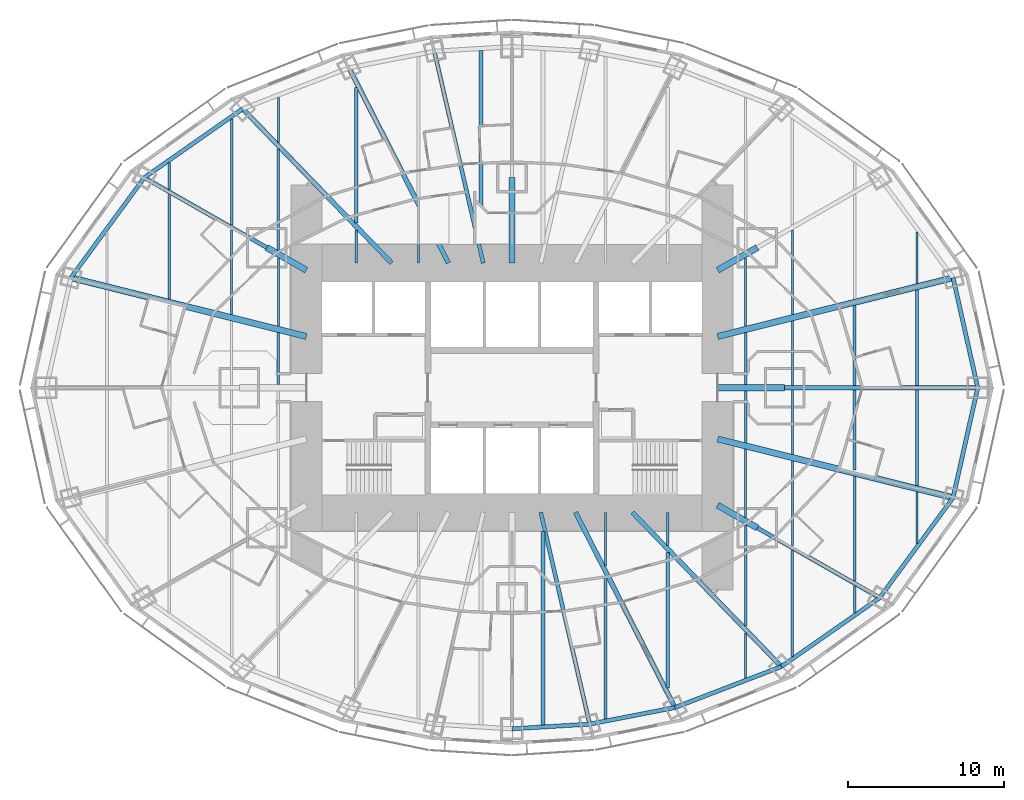
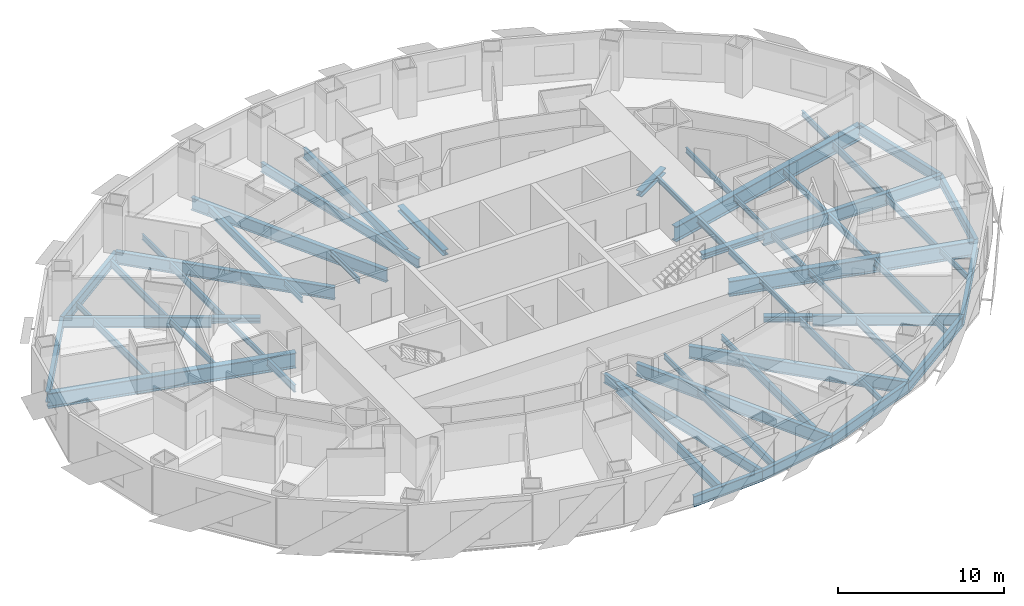
# One storey, part 2 of 15: 62 beams.
"""IFC4 building model written with IfcOpenShell, lengths in metres."""

from ifc_helpers import new_model, si_unit, direction, frame, origin, origin_2d, place, context, subcontext, project, spatial, i_section, extrude, material, material_profile, profile_set, type_object, element, save


model = new_model("IFC4")

# Units and contexts
model_context = context("Model", 3, precision=1e-05, world=origin(), true_north=direction((0.0, 1.0)))
body_context = subcontext(model_context, "Body", "Model", "MODEL_VIEW")
ifc_project = project(units=[si_unit("LENGTHUNIT", "METRE"), si_unit("AREAUNIT", "SQUARE_METRE"), si_unit("VOLUMEUNIT", "CUBIC_METRE"), si_unit("PLANEANGLEUNIT", "RADIAN"), si_unit("MASSUNIT", "GRAM", prefix="KILO")], contexts=[model_context])

# Site, building, storey
site_placement = place(None, origin())
site = spatial("IfcSite", under=ifc_project, at=site_placement, CompositionType="ELEMENT")
building_placement = place(site_placement, origin())
building = spatial("IfcBuilding", under=site, at=building_placement, Name="Lantaw Convention Tower", CompositionType="ELEMENT")
storey_placement = place(building_placement, frame((0.0, 0.0, 44.199951171875)))
storey = spatial("IfcBuildingStorey", under=building, at=storey_placement, Name="L08", CompositionType="ELEMENT", Elevation=44.199951171875)

# Beams
ifc_material = material(Name="Steel ASTM A992", Category="steel")
ifc_material_profile_1 = material_profile(ifc_material, i_section(OverallWidth=0.2666015625, OverallDepth=0.76953125, WebThickness=0.015625, FlangeThickness=0.025390625, FilletRadius=0.0126953125, at=origin_2d()), Name="W30X132")
ifc_profile_set_1 = profile_set([ifc_material_profile_1], Name="Steel ASTM A992")
beam_type_1 = type_object("IfcBeamType", Name="Beam E W30X132", PredefinedType="SPANDREL", material=ifc_profile_set_1)
beam_1_placement = place(storey_placement, frame((29.89990234375, 0.0, -0.53466796875), z_axis=(-0.218652184873, 0.975802860239, 0.0), x_axis=(-0.975802860239, -0.218652184873, 0.0)))
element("IfcBeam", 1, at=beam_1_placement, inside=storey, type_object=beam_type_1, Name="Edge beam 1", PredefinedType="SPANDREL", context=body_context, shape_type="SweptSolid", body=[
    extrude(i_section(OverallWidth=0.2666015625, OverallDepth=0.76953125, WebThickness=0.015625, FlangeThickness=0.025390625, FilletRadius=0.0126953125, at=origin_2d()), origin(), (0.0, 0.0, 1.0), 7.2353515625),
])
beam_2_placement = place(storey_placement, frame((-17.290771484375, 17.9052734375, -0.53466796875), z_axis=(-0.81942686407, -0.57318375277, 0.0), x_axis=(0.57318375277, -0.81942686407, 0.0)))
element("IfcBeam", 2, at=beam_2_placement, inside=storey, type_object=beam_type_1, Name="Edge beam 10", PredefinedType="SPANDREL", context=body_context, shape_type="SweptSolid", body=[
    extrude(i_section(OverallWidth=0.2666015625, OverallDepth=0.76953125, WebThickness=0.015625, FlangeThickness=0.025390625, FilletRadius=0.0126953125, at=origin_2d()), origin(), (0.0, 0.0, 1.0), 7.70556640625),
])
beam_3_placement = place(storey_placement, frame((-23.60498046875, 13.488525390625, -0.53466796875), z_axis=(-0.591270709086, -0.806473154281, 0.0), x_axis=(0.806473154281, -0.591270709086, 0.0)))
element("IfcBeam", 3, at=beam_3_placement, inside=storey, type_object=beam_type_1, Name="Edge beam 11", PredefinedType="SPANDREL", context=body_context, shape_type="SweptSolid", body=[
    extrude(i_section(OverallWidth=0.2666015625, OverallDepth=0.76953125, WebThickness=0.015625, FlangeThickness=0.025390625, FilletRadius=0.0126953125, at=origin_2d()), origin(), (0.0, 0.0, 1.0), 7.970703125),
])
beam_4_placement = place(storey_placement, frame((0.0, -21.89990234375, -0.53466796875), z_axis=(0.998173858406, 0.060406526096, 0.0), x_axis=(-0.060406526096, 0.998173858406, 0.0)))
element("IfcBeam", 4, at=beam_4_placement, inside=storey, type_object=beam_type_1, Name="Edge beam 19", PredefinedType="SPANDREL", context=body_context, shape_type="SweptSolid", body=[
    extrude(i_section(OverallWidth=0.2666015625, OverallDepth=0.76953125, WebThickness=0.015625, FlangeThickness=0.025390625, FilletRadius=0.0126953125, at=origin_2d()), origin(), (0.0, 0.0, 1.0), 4.995361328125),
])
beam_5_placement = place(storey_placement, frame((4.986328125, -21.59814453125, -0.53466796875), z_axis=(0.981636565323, 0.190760723474, 0.0), x_axis=(-0.190760723474, 0.981636565323, 0.0)))
element("IfcBeam", 5, at=beam_5_placement, inside=storey, type_object=beam_type_1, Name="Edge beam 20", PredefinedType="SPANDREL", context=body_context, shape_type="SweptSolid", body=[
    extrude(i_section(OverallWidth=0.2666015625, OverallDepth=0.76953125, WebThickness=0.015625, FlangeThickness=0.025390625, FilletRadius=0.0126953125, at=origin_2d()), origin(), (0.0, 0.0, 1.0), 5.578857421875),
])
beam_6_placement = place(storey_placement, frame((10.462646484375, -20.533935546875, -0.53466796875), z_axis=(0.933232900641, 0.359271976588, 0.0), x_axis=(-0.359271976588, 0.933232900641, 0.0)))
element("IfcBeam", 6, at=beam_6_placement, inside=storey, type_object=beam_type_1, Name="Edge beam 21", PredefinedType="SPANDREL", context=body_context, shape_type="SweptSolid", body=[
    extrude(i_section(OverallWidth=0.2666015625, OverallDepth=0.76953125, WebThickness=0.015625, FlangeThickness=0.025390625, FilletRadius=0.0126953125, at=origin_2d()), origin(), (0.0, 0.0, 1.0), 7.316650390625),
])
beam_7_placement = place(storey_placement, frame((17.290771484375, -17.9052734375, -0.53466796875), z_axis=(0.81942686407, 0.57318375277, 0.0), x_axis=(-0.57318375277, 0.81942686407, 0.0)))
element("IfcBeam", 7, at=beam_7_placement, inside=storey, type_object=beam_type_1, Name="Edge beam 22", PredefinedType="SPANDREL", context=body_context, shape_type="SweptSolid", body=[
    extrude(i_section(OverallWidth=0.2666015625, OverallDepth=0.76953125, WebThickness=0.015625, FlangeThickness=0.025390625, FilletRadius=0.0126953125, at=origin_2d()), origin(), (0.0, 0.0, 1.0), 7.70556640625),
])
beam_8_placement = place(storey_placement, frame((23.60498046875, -13.488525390625, -0.53466796875), z_axis=(0.591270709086, 0.806473154281, 0.0), x_axis=(-0.806473154281, 0.591270709086, 0.0)))
element("IfcBeam", 8, at=beam_8_placement, inside=storey, type_object=beam_type_1, Name="Edge beam 23", PredefinedType="SPANDREL", context=body_context, shape_type="SweptSolid", body=[
    extrude(i_section(OverallWidth=0.2666015625, OverallDepth=0.76953125, WebThickness=0.015625, FlangeThickness=0.025390625, FilletRadius=0.0126953125, at=origin_2d()), origin(), (0.0, 0.0, 1.0), 7.970703125),
])
beam_9_placement = place(storey_placement, frame((28.31787109375, -7.060302734375, -0.53466796875), z_axis=(0.218652184873, 0.975802860239, 0.0), x_axis=(-0.975802860239, 0.218652184873, 0.0)))
element("IfcBeam", 9, at=beam_9_placement, inside=storey, type_object=beam_type_1, Name="Edge beam 24", PredefinedType="SPANDREL", context=body_context, shape_type="SweptSolid", body=[
    extrude(i_section(OverallWidth=0.2666015625, OverallDepth=0.76953125, WebThickness=0.015625, FlangeThickness=0.025390625, FilletRadius=0.0126953125, at=origin_2d()), origin(), (0.0, 0.0, 1.0), 7.2353515625),
])
ifc_material_profile_2 = material_profile(ifc_material, i_section(OverallWidth=0.25390625, OverallDepth=0.683349609375, WebThickness=0.012451171875, FlangeThickness=0.01904296875, FilletRadius=0.01513671875, at=origin_2d()), Name="W27X94")
ifc_profile_set_2 = profile_set([ifc_material_profile_2], Name="Steel ASTM A992")
beam_type_2 = type_object("IfcBeamType", Name="Beam G W27X94", PredefinedType="BEAM", material=ifc_profile_set_2)
for number, where, z_axis, x_axis, name in (
    (10, (-1.846923828125, 8.0, -0.49169921875), (-0.224952773175, 0.97436966796, 0.0), (-0.97436966796, -0.224952773175, 0.0), "Floor girder on ray 8"),
    (11, (1.846923828125, -8.0, -0.49169921875), (0.224952773175, -0.97436966796, 0.0), (0.97436966796, 0.224952773175, 0.0), "Floor girder on ray 20"),
):
    element("IfcBeam", number, at=place(storey_placement, frame(where, z_axis=z_axis, x_axis=x_axis)), inside=storey, type_object=beam_type_2, Name=name, PredefinedType="BEAM", context=body_context, shape_type="SweptSolid", body=[
        extrude(i_section(OverallWidth=0.25390625, OverallDepth=0.683349609375, WebThickness=0.012451171875, FlangeThickness=0.01904296875, FilletRadius=0.01513671875, at=origin_2d()), origin(), (0.0, 0.0, 1.0), 13.955810546875),
    ])
ifc_material_profile_3 = material_profile(ifc_material, i_section(OverallWidth=0.2666015625, OverallDepth=0.7568359375, WebThickness=0.013916015625, FlangeThickness=0.019287109375, FilletRadius=0.0126953125, at=origin_2d()), Name="W30X108")
ifc_profile_set_3 = profile_set([ifc_material_profile_3], Name="Steel ASTM A992")
beam_type_3 = type_object("IfcBeamType", Name="Beam G W30X108", PredefinedType="BEAM", material=ifc_profile_set_3)
for number, where, z_axis, x_axis, name in (
    (12, (-15.75, 9.0, -0.5283203125), (-0.868244802791, 0.496136032179, 0.0), (-0.496136032179, -0.868244802791, 0.0), "Floor girder on ray 11"),
    (13, (15.75, -9.0, -0.5283203125), (0.868244802791, -0.496136032179, 0.0), (0.496136032179, 0.868244802791, 0.0), "Floor girder on ray 23"),
):
    element("IfcBeam", number, at=place(storey_placement, frame(where, z_axis=z_axis, x_axis=x_axis)), inside=storey, type_object=beam_type_3, Name=name, PredefinedType="BEAM", context=body_context, shape_type="SweptSolid", body=[
        extrude(i_section(OverallWidth=0.2666015625, OverallDepth=0.7568359375, WebThickness=0.013916015625, FlangeThickness=0.019287109375, FilletRadius=0.0126953125, at=origin_2d()), origin(), (0.0, 0.0, 1.0), 9.046875),
    ])
ifc_material_profile_4 = material_profile(ifc_material, i_section(OverallWidth=0.307373046875, OverallDepth=0.922119140625, WebThickness=0.018310546875, FlangeThickness=0.030029296875, FilletRadius=0.0126953125, at=origin_2d()), Name="W36X182")
ifc_profile_set_4 = profile_set([ifc_material_profile_4], Name="Steel ASTM A992")
beam_type_4 = type_object("IfcBeamType", Name="Beam G W36X182", PredefinedType="BEAM", material=ifc_profile_set_4)
beam_10_placement = place(storey_placement, frame((17.5, 0.0, -0.61083984375), z_axis=(1.0, 0.0, 0.0), x_axis=(0.0, 1.0, 0.0)))
element("IfcBeam", 14, at=beam_10_placement, inside=storey, type_object=beam_type_4, Name="Floor girder on ray 1", PredefinedType="BEAM", context=body_context, shape_type="SweptSolid", body=[
    extrude(i_section(OverallWidth=0.307373046875, OverallDepth=0.922119140625, WebThickness=0.018310546875, FlangeThickness=0.030029296875, FilletRadius=0.0126953125, at=origin_2d()), origin(), (0.0, 0.0, 1.0), 12.39990234375),
])
beam_11_placement = place(storey_placement, frame((-4.076171875, 8.0, -0.61083984375), z_axis=(-0.453997016122, 0.891003203896, 0.0), x_axis=(-0.891003203896, -0.453997016122, 0.0)))
element("IfcBeam", 15, at=beam_11_placement, inside=storey, type_object=beam_type_4, Name="Floor girder on ray 9", PredefinedType="BEAM", context=body_context, shape_type="SweptSolid", body=[
    extrude(i_section(OverallWidth=0.307373046875, OverallDepth=0.922119140625, WebThickness=0.018310546875, FlangeThickness=0.030029296875, FilletRadius=0.0126953125, at=origin_2d()), origin(), (0.0, 0.0, 1.0), 14.067138671875),
])
beam_12_placement = place(storey_placement, frame((-7.7255859375, 8.0, -0.61083984375), z_axis=(-0.694649884291, 0.719347995239, 0.0), x_axis=(-0.719347995239, -0.694649884291, 0.0)))
element("IfcBeam", 16, at=beam_12_placement, inside=storey, type_object=beam_type_4, Name="Floor girder on ray 10", PredefinedType="BEAM", context=body_context, shape_type="SweptSolid", body=[
    extrude(i_section(OverallWidth=0.307373046875, OverallDepth=0.922119140625, WebThickness=0.018310546875, FlangeThickness=0.030029296875, FilletRadius=0.0126953125, at=origin_2d()), origin(), (0.0, 0.0, 1.0), 13.769775390625),
])
beam_13_placement = place(storey_placement, frame((4.076171875, -8.0, -0.61083984375), z_axis=(0.453997016122, -0.891003203896, 0.0), x_axis=(0.891003203896, 0.453997016122, 0.0)))
element("IfcBeam", 17, at=beam_13_placement, inside=storey, type_object=beam_type_4, Name="Floor girder on ray 21", PredefinedType="BEAM", context=body_context, shape_type="SweptSolid", body=[
    extrude(i_section(OverallWidth=0.307373046875, OverallDepth=0.922119140625, WebThickness=0.018310546875, FlangeThickness=0.030029296875, FilletRadius=0.0126953125, at=origin_2d()), origin(), (0.0, 0.0, 1.0), 14.067138671875),
])
beam_14_placement = place(storey_placement, frame((7.7255859375, -8.0, -0.61083984375), z_axis=(0.694649884291, -0.719347995239, 0.0), x_axis=(0.719347995239, 0.694649884291, 0.0)))
element("IfcBeam", 18, at=beam_14_placement, inside=storey, type_object=beam_type_4, Name="Floor girder on ray 22", PredefinedType="BEAM", context=body_context, shape_type="SweptSolid", body=[
    extrude(i_section(OverallWidth=0.307373046875, OverallDepth=0.922119140625, WebThickness=0.018310546875, FlangeThickness=0.030029296875, FilletRadius=0.0126953125, at=origin_2d()), origin(), (0.0, 0.0, 1.0), 13.769775390625),
])
ifc_material_profile_5 = material_profile(ifc_material, i_section(OverallWidth=0.40380859375, OverallDepth=1.11767578125, WebThickness=0.026123046875, FlangeThickness=0.044921875, FilletRadius=0.02001953125, at=origin_2d()), Name="W44X335")
ifc_profile_set_5 = profile_set([ifc_material_profile_5], Name="Steel ASTM A992")
beam_type_5 = type_object("IfcBeamType", Name="Beam G W44X335", PredefinedType="BEAM", material=ifc_profile_set_5)
for number, where, z_axis, x_axis, name in (
    (19, (13.199951171875, 3.291015625, -0.708740234375), (0.970296233567, 0.241919860957, 0.0), (-0.241919860957, 0.970296233567, 0.0), "Floor girder on ray 2"),
    (20, (-13.199951171875, 3.291015625, -0.708740234375), (-0.970296233567, 0.241919860957, 0.0), (-0.241919860957, -0.970296233567, 0.0), "Floor girder on ray 12"),
    (21, (13.199951171875, -3.291015625, -0.708740234375), (0.970296233567, -0.241919860957, 0.0), (0.241919860957, 0.970296233567, 0.0), "Floor girder on ray 24"),
):
    element("IfcBeam", number, at=place(storey_placement, frame(where, z_axis=z_axis, x_axis=x_axis)), inside=storey, type_object=beam_type_5, Name=name, PredefinedType="BEAM", context=body_context, shape_type="SweptSolid", body=[
        extrude(i_section(OverallWidth=0.40380859375, OverallDepth=1.11767578125, WebThickness=0.026123046875, FlangeThickness=0.044921875, FilletRadius=0.02001953125, at=origin_2d()), origin(), (0.0, 0.0, 1.0), 15.580810546875),
    ])
ifc_material_profile_6 = material_profile(ifc_material, i_section(OverallWidth=0.40380859375, OverallDepth=0.406494140625, WebThickness=0.027099609375, FlangeThickness=0.043701171875, FilletRadius=0.01513671875, at=origin_2d()), Name="W14X233")
ifc_profile_set_6 = profile_set([ifc_material_profile_6], Name="Steel ASTM A992")
beam_type_6 = type_object("IfcBeamType", Name="Beam GM W14X233", PredefinedType="BEAM", material=ifc_profile_set_6)
beam_15_placement = place(storey_placement, frame((13.199951171875, 0.0, -0.353271484375), z_axis=(1.0, 0.0, 0.0), x_axis=(0.0, 1.0, 0.0)))
element("IfcBeam", 22, at=beam_15_placement, inside=storey, type_object=beam_type_6, Name="Core link beam on ray 1", PredefinedType="BEAM", context=body_context, shape_type="SweptSolid", body=[
    extrude(i_section(OverallWidth=0.40380859375, OverallDepth=0.406494140625, WebThickness=0.027099609375, FlangeThickness=0.043701171875, FilletRadius=0.01513671875, at=origin_2d()), origin(), (0.0, 0.0, 1.0), 4.300048828125),
])
beam_16_placement = place(storey_placement, frame((13.199951171875, 7.54296875, -0.353271484375), z_axis=(0.868263603466, 0.496103129295, 0.0), x_axis=(-0.496103129295, 0.868263603466, 0.0)))
element("IfcBeam", 23, at=beam_16_placement, inside=storey, type_object=beam_type_6, Name="Core link beam on ray 3", PredefinedType="BEAM", context=body_context, shape_type="SweptSolid", body=[
    extrude(i_section(OverallWidth=0.40380859375, OverallDepth=0.406494140625, WebThickness=0.027099609375, FlangeThickness=0.043701171875, FilletRadius=0.01513671875, at=origin_2d()), origin(), (0.0, 0.0, 1.0), 2.93701171875),
])
beam_17_placement = place(storey_placement, frame((0.0, 8.0, -0.353271484375), z_axis=(0.0, 1.0, 0.0), x_axis=(-1.0, 0.0, 0.0)))
element("IfcBeam", 24, at=beam_17_placement, inside=storey, type_object=beam_type_6, Name="Core link beam on ray 7", PredefinedType="BEAM", context=body_context, shape_type="SweptSolid", body=[
    extrude(i_section(OverallWidth=0.40380859375, OverallDepth=0.406494140625, WebThickness=0.027099609375, FlangeThickness=0.043701171875, FilletRadius=0.01513671875, at=origin_2d()), origin(), (0.0, 0.0, 1.0), 5.5),
])
for number, where, z_axis, x_axis, name in (
    (25, (-13.199951171875, 7.54296875, -0.353271484375), (-0.868263603466, 0.496103129295, 0.0), (-0.496103129295, -0.868263603466, 0.0), "Core link beam on ray 11"),
    (26, (13.199951171875, -7.54296875, -0.353271484375), (0.868263603466, -0.496103129295, 0.0), (0.496103129295, 0.868263603466, 0.0), "Core link beam on ray 23"),
):
    element("IfcBeam", number, at=place(storey_placement, frame(where, z_axis=z_axis, x_axis=x_axis)), inside=storey, type_object=beam_type_6, Name=name, PredefinedType="BEAM", context=body_context, shape_type="SweptSolid", body=[
        extrude(i_section(OverallWidth=0.40380859375, OverallDepth=0.406494140625, WebThickness=0.027099609375, FlangeThickness=0.043701171875, FilletRadius=0.01513671875, at=origin_2d()), origin(), (0.0, 0.0, 1.0), 2.93701171875),
    ])
ifc_material_profile_7 = material_profile(ifc_material, i_section(OverallWidth=0.140380859375, OverallDepth=0.40380859375, WebThickness=0.007080078125, FlangeThickness=0.01123046875, FilletRadius=0.01025390625, at=origin_2d()), Name="W16X31")
ifc_profile_set_7 = profile_set([ifc_material_profile_7], Name="Steel ASTM A992")
beam_type_7 = type_object("IfcBeamType", Name="Beam J W16X31", PredefinedType="JOIST", material=ifc_profile_set_7)
beam_18_placement = place(storey_placement, frame((-22.0, 12.72509765625, -0.351806640625), z_axis=(0.0, 1.0, 0.0), x_axis=(-1.0, 0.0, 0.0)))
element("IfcBeam", 27, at=beam_18_placement, inside=storey, type_object=beam_type_7, Name="Floor joist", PredefinedType="JOIST", context=body_context, shape_type="SweptSolid", body=[
    extrude(i_section(OverallWidth=0.140380859375, OverallDepth=0.40380859375, WebThickness=0.007080078125, FlangeThickness=0.01123046875, FilletRadius=0.01025390625, at=origin_2d()), origin(), (0.0, 0.0, 1.0), 1.723388671875),
])
beam_19_placement = place(storey_placement, frame((-18.0, 4.696044921875, -0.351806640625), z_axis=(0.0, 1.0, 0.0), x_axis=(-1.0, 0.0, 0.0)))
element("IfcBeam", 28, at=beam_19_placement, inside=storey, type_object=beam_type_7, Name="Floor joist", PredefinedType="JOIST", context=body_context, shape_type="SweptSolid", body=[
    extrude(i_section(OverallWidth=0.140380859375, OverallDepth=0.40380859375, WebThickness=0.007080078125, FlangeThickness=0.01123046875, FilletRadius=0.01025390625, at=origin_2d()), origin(), (0.0, 0.0, 1.0), 5.43603515625),
])
beam_20_placement = place(storey_placement, frame((-15.0, 3.947998046875, -0.351806640625), z_axis=(0.0, 1.0, 0.0), x_axis=(-1.0, 0.0, 0.0)))
element("IfcBeam", 29, at=beam_20_placement, inside=storey, type_object=beam_type_7, Name="Floor joist", PredefinedType="JOIST", context=body_context, shape_type="SweptSolid", body=[
    extrude(i_section(OverallWidth=0.140380859375, OverallDepth=0.40380859375, WebThickness=0.007080078125, FlangeThickness=0.01123046875, FilletRadius=0.01025390625, at=origin_2d()), origin(), (0.0, 0.0, 1.0), 4.390869140625),
])
beam_21_placement = place(storey_placement, frame((-15.0, 15.754150390625, -0.351806640625), z_axis=(0.0, 1.0, 0.0), x_axis=(-1.0, 0.0, 0.0)))
element("IfcBeam", 30, at=beam_21_placement, inside=storey, type_object=beam_type_7, Name="Floor joist", PredefinedType="JOIST", context=body_context, shape_type="SweptSolid", body=[
    extrude(i_section(OverallWidth=0.140380859375, OverallDepth=0.40380859375, WebThickness=0.007080078125, FlangeThickness=0.01123046875, FilletRadius=0.01025390625, at=origin_2d()), origin(), (0.0, 0.0, 1.0), 2.89013671875),
])
beam_22_placement = place(storey_placement, frame((-10.0, 8.0, -0.351806640625), z_axis=(0.0, 1.0, 0.0), x_axis=(-1.0, 0.0, 0.0)))
element("IfcBeam", 31, at=beam_22_placement, inside=storey, type_object=beam_type_7, Name="Floor joist", PredefinedType="JOIST", context=body_context, shape_type="SweptSolid", body=[
    extrude(i_section(OverallWidth=0.140380859375, OverallDepth=0.40380859375, WebThickness=0.007080078125, FlangeThickness=0.01123046875, FilletRadius=0.01025390625, at=origin_2d()), origin(), (0.0, 0.0, 1.0), 2.134033203125),
])
for number, where, z_axis, x_axis, name in (
    (32, (-6.0, 8.0, -0.351806640625), (0.0, 1.0, 0.0), (-1.0, 0.0, 0.0), "Floor joist"),
    (33, (6.0, -11.437255859375, -0.351806640625), (0.0, 1.0, 0.0), (-1.0, 0.0, 0.0), "Floor joist"),
):
    element("IfcBeam", number, at=place(storey_placement, frame(where, z_axis=z_axis, x_axis=x_axis)), inside=storey, type_object=beam_type_7, Name=name, PredefinedType="JOIST", context=body_context, shape_type="SweptSolid", body=[
        extrude(i_section(OverallWidth=0.140380859375, OverallDepth=0.40380859375, WebThickness=0.007080078125, FlangeThickness=0.01123046875, FilletRadius=0.01025390625, at=origin_2d()), origin(), (0.0, 0.0, 1.0), 3.437255859375),
    ])
beam_23_placement = place(storey_placement, frame((10.0, -10.134033203125, -0.351806640625), z_axis=(0.0, 1.0, 0.0), x_axis=(-1.0, 0.0, 0.0)))
element("IfcBeam", 34, at=beam_23_placement, inside=storey, type_object=beam_type_7, Name="Floor joist", PredefinedType="JOIST", context=body_context, shape_type="SweptSolid", body=[
    extrude(i_section(OverallWidth=0.140380859375, OverallDepth=0.40380859375, WebThickness=0.007080078125, FlangeThickness=0.01123046875, FilletRadius=0.01025390625, at=origin_2d()), origin(), (0.0, 0.0, 1.0), 2.134033203125),
])
beam_24_placement = place(storey_placement, frame((15.0, -18.644287109375, -0.351806640625), z_axis=(0.0, 1.0, 0.0), x_axis=(-1.0, 0.0, 0.0)))
element("IfcBeam", 35, at=beam_24_placement, inside=storey, type_object=beam_type_7, Name="Floor joist", PredefinedType="JOIST", context=body_context, shape_type="SweptSolid", body=[
    extrude(i_section(OverallWidth=0.140380859375, OverallDepth=0.40380859375, WebThickness=0.007080078125, FlangeThickness=0.01123046875, FilletRadius=0.01025390625, at=origin_2d()), origin(), (0.0, 0.0, 1.0), 2.89013671875),
])
for number, where, z_axis, x_axis, name in (
    (36, (15.0, -8.3388671875, -0.351806640625), (0.0, 1.0, 0.0), (-1.0, 0.0, 0.0), "Floor joist"),
    (37, (15.0, 3.947998046875, -0.351806640625), (0.0, 1.0, 0.0), (-1.0, 0.0, 0.0), "Floor joist"),
):
    element("IfcBeam", number, at=place(storey_placement, frame(where, z_axis=z_axis, x_axis=x_axis)), inside=storey, type_object=beam_type_7, Name=name, PredefinedType="JOIST", context=body_context, shape_type="SweptSolid", body=[
        extrude(i_section(OverallWidth=0.140380859375, OverallDepth=0.40380859375, WebThickness=0.007080078125, FlangeThickness=0.01123046875, FilletRadius=0.01025390625, at=origin_2d()), origin(), (0.0, 0.0, 1.0), 4.390869140625),
    ])
beam_25_placement = place(storey_placement, frame((18.0, -10.132080078125, -0.351806640625), z_axis=(0.0, 1.0, 0.0), x_axis=(-1.0, 0.0, 0.0)))
element("IfcBeam", 38, at=beam_25_placement, inside=storey, type_object=beam_type_7, Name="Floor joist", PredefinedType="JOIST", context=body_context, shape_type="SweptSolid", body=[
    extrude(i_section(OverallWidth=0.140380859375, OverallDepth=0.40380859375, WebThickness=0.007080078125, FlangeThickness=0.01123046875, FilletRadius=0.01025390625, at=origin_2d()), origin(), (0.0, 0.0, 1.0), 5.43603515625),
])
for number, where, z_axis, x_axis, name in (
    (39, (18.0, -4.27978515625, -0.351806640625), (0.0, 1.0, 0.0), (-1.0, 0.0, 0.0), "Floor joist"),
    (40, (18.0, 0.153564453125, -0.351806640625), (0.0, 1.0, 0.0), (-1.0, 0.0, 0.0), "Floor joist"),
):
    element("IfcBeam", number, at=place(storey_placement, frame(where, z_axis=z_axis, x_axis=x_axis)), inside=storey, type_object=beam_type_7, Name=name, PredefinedType="JOIST", context=body_context, shape_type="SweptSolid", body=[
        extrude(i_section(OverallWidth=0.140380859375, OverallDepth=0.40380859375, WebThickness=0.007080078125, FlangeThickness=0.01123046875, FilletRadius=0.01025390625, at=origin_2d()), origin(), (0.0, 0.0, 1.0), 4.126220703125),
    ])
beam_26_placement = place(storey_placement, frame((18.0, 4.696044921875, -0.351806640625), z_axis=(0.0, 1.0, 0.0), x_axis=(-1.0, 0.0, 0.0)))
element("IfcBeam", 41, at=beam_26_placement, inside=storey, type_object=beam_type_7, Name="Floor joist", PredefinedType="JOIST", context=body_context, shape_type="SweptSolid", body=[
    extrude(i_section(OverallWidth=0.140380859375, OverallDepth=0.40380859375, WebThickness=0.007080078125, FlangeThickness=0.01123046875, FilletRadius=0.01025390625, at=origin_2d()), origin(), (0.0, 0.0, 1.0), 5.43603515625),
])
beam_27_placement = place(storey_placement, frame((22.0, -14.448486328125, -0.351806640625), z_axis=(0.0, 1.0, 0.0), x_axis=(-1.0, 0.0, 0.0)))
element("IfcBeam", 42, at=beam_27_placement, inside=storey, type_object=beam_type_7, Name="Floor joist", PredefinedType="JOIST", context=body_context, shape_type="SweptSolid", body=[
    extrude(i_section(OverallWidth=0.140380859375, OverallDepth=0.40380859375, WebThickness=0.007080078125, FlangeThickness=0.01123046875, FilletRadius=0.01025390625, at=origin_2d()), origin(), (0.0, 0.0, 1.0), 1.723388671875),
])
for number, where, z_axis, x_axis, name in (
    (43, (26.0, -9.996337890625, -0.351806640625), (0.0, 1.0, 0.0), (-1.0, 0.0, 0.0), "Floor joist"),
    (44, (26.0, 6.690673828125, -0.351806640625), (0.0, 1.0, 0.0), (-1.0, 0.0, 0.0), "Floor joist"),
):
    element("IfcBeam", number, at=place(storey_placement, frame(where, z_axis=z_axis, x_axis=x_axis)), inside=storey, type_object=beam_type_7, Name=name, PredefinedType="JOIST", context=body_context, shape_type="SweptSolid", body=[
        extrude(i_section(OverallWidth=0.140380859375, OverallDepth=0.40380859375, WebThickness=0.007080078125, FlangeThickness=0.01123046875, FilletRadius=0.01025390625, at=origin_2d()), origin(), (0.0, 0.0, 1.0), 3.3056640625),
    ])
ifc_material_profile_8 = material_profile(ifc_material, i_section(OverallWidth=0.1904296875, OverallDepth=0.457275390625, WebThickness=0.009033203125, FlangeThickness=0.014404296875, FilletRadius=0.01025390625, at=origin_2d()), Name="W18X50")
ifc_profile_set_8 = profile_set([ifc_material_profile_8], Name="Steel ASTM A992")
beam_type_8 = type_object("IfcBeamType", Name="Beam J W18X50", PredefinedType="JOIST", material=ifc_profile_set_8)
for number, where, z_axis, x_axis, name in (
    (45, (22.0, -5.277099609375, -0.378662109375), (0.0, 1.0, 0.0), (-1.0, 0.0, 0.0), "Floor joist"),
    (46, (22.0, 0.153564453125, -0.378662109375), (0.0, 1.0, 0.0), (-1.0, 0.0, 0.0), "Floor joist"),
):
    element("IfcBeam", number, at=place(storey_placement, frame(where, z_axis=z_axis, x_axis=x_axis)), inside=storey, type_object=beam_type_8, Name=name, PredefinedType="JOIST", context=body_context, shape_type="SweptSolid", body=[
        extrude(i_section(OverallWidth=0.1904296875, OverallDepth=0.457275390625, WebThickness=0.009033203125, FlangeThickness=0.014404296875, FilletRadius=0.01025390625, at=origin_2d()), origin(), (0.0, 0.0, 1.0), 5.12353515625),
    ])
ifc_material_profile_9 = material_profile(ifc_material, i_section(OverallWidth=0.1650390625, OverallDepth=0.52587890625, WebThickness=0.0087890625, FlangeThickness=0.011474609375, FilletRadius=0.0126953125, at=origin_2d()), Name="W21X44")
ifc_profile_set_9 = profile_set([ifc_material_profile_9], Name="Steel ASTM A992")
beam_type_9 = type_object("IfcBeamType", Name="Beam J W21X44", PredefinedType="JOIST", material=ifc_profile_set_9)
beam_28_placement = place(storey_placement, frame((-22.0, 5.693359375, -0.412841796875), z_axis=(0.0, 1.0, 0.0), x_axis=(-1.0, 0.0, 0.0)))
element("IfcBeam", 47, at=beam_28_placement, inside=storey, type_object=beam_type_9, Name="Floor joist", PredefinedType="JOIST", context=body_context, shape_type="SweptSolid", body=[
    extrude(i_section(OverallWidth=0.1650390625, OverallDepth=0.52587890625, WebThickness=0.0087890625, FlangeThickness=0.011474609375, FilletRadius=0.0126953125, at=origin_2d()), origin(), (0.0, 0.0, 1.0), 6.724609375),
])
beam_29_placement = place(storey_placement, frame((-18.0, 10.439208984375, -0.412841796875), z_axis=(0.0, 1.0, 0.0), x_axis=(-1.0, 0.0, 0.0)))
element("IfcBeam", 48, at=beam_29_placement, inside=storey, type_object=beam_type_9, Name="Floor joist", PredefinedType="JOIST", context=body_context, shape_type="SweptSolid", body=[
    extrude(i_section(OverallWidth=0.1650390625, OverallDepth=0.52587890625, WebThickness=0.0087890625, FlangeThickness=0.011474609375, FilletRadius=0.0126953125, at=origin_2d()), origin(), (0.0, 0.0, 1.0), 6.80712890625),
])
for number, where, z_axis, x_axis, name in (
    (49, (-15.0, 8.803955078125, -0.412841796875), (0.0, 1.0, 0.0), (-1.0, 0.0, 0.0), "Floor joist"),
    (50, (15.0, -15.311767578125, -0.412841796875), (0.0, 1.0, 0.0), (-1.0, 0.0, 0.0), "Floor joist"),
):
    element("IfcBeam", number, at=place(storey_placement, frame(where, z_axis=z_axis, x_axis=x_axis)), inside=storey, type_object=beam_type_9, Name=name, PredefinedType="JOIST", context=body_context, shape_type="SweptSolid", body=[
        extrude(i_section(OverallWidth=0.1650390625, OverallDepth=0.52587890625, WebThickness=0.0087890625, FlangeThickness=0.011474609375, FilletRadius=0.0126953125, at=origin_2d()), origin(), (0.0, 0.0, 1.0), 6.5078125),
    ])
beam_30_placement = place(storey_placement, frame((18.0, -17.246337890625, -0.412841796875), z_axis=(0.0, 1.0, 0.0), x_axis=(-1.0, 0.0, 0.0)))
element("IfcBeam", 51, at=beam_30_placement, inside=storey, type_object=beam_type_9, Name="Floor joist", PredefinedType="JOIST", context=body_context, shape_type="SweptSolid", body=[
    extrude(i_section(OverallWidth=0.1650390625, OverallDepth=0.52587890625, WebThickness=0.0087890625, FlangeThickness=0.011474609375, FilletRadius=0.0126953125, at=origin_2d()), origin(), (0.0, 0.0, 1.0), 6.80712890625),
])
beam_31_placement = place(storey_placement, frame((22.0, -12.41796875, -0.412841796875), z_axis=(0.0, 1.0, 0.0), x_axis=(-1.0, 0.0, 0.0)))
element("IfcBeam", 52, at=beam_31_placement, inside=storey, type_object=beam_type_9, Name="Floor joist", PredefinedType="JOIST", context=body_context, shape_type="SweptSolid", body=[
    extrude(i_section(OverallWidth=0.1650390625, OverallDepth=0.52587890625, WebThickness=0.0087890625, FlangeThickness=0.011474609375, FilletRadius=0.0126953125, at=origin_2d()), origin(), (0.0, 0.0, 1.0), 6.724609375),
])
ifc_material_profile_10 = material_profile(ifc_material, i_section(OverallWidth=0.165771484375, OverallDepth=0.5283203125, WebThickness=0.009765625, FlangeThickness=0.013671875, FilletRadius=0.012939453125, at=origin_2d()), Name="W21X50")
ifc_profile_set_10 = profile_set([ifc_material_profile_10], Name="Steel ASTM A992")
beam_type_10 = type_object("IfcBeamType", Name="Beam J W21X50", PredefinedType="JOIST", material=ifc_profile_set_10)
for number, where, z_axis, x_axis, name in (
    (53, (-15.0, 0.201904296875, -0.4140625), (0.0, 1.0, 0.0), (-1.0, 0.0, 0.0), "Floor joist"),
    (54, (15.0, -3.53173828125, -0.4140625), (0.0, 1.0, 0.0), (-1.0, 0.0, 0.0), "Floor joist"),
    (55, (15.0, 0.201904296875, -0.4140625), (0.0, 1.0, 0.0), (-1.0, 0.0, 0.0), "Floor joist"),
):
    element("IfcBeam", number, at=place(storey_placement, frame(where, z_axis=z_axis, x_axis=x_axis)), inside=storey, type_object=beam_type_10, Name=name, PredefinedType="JOIST", context=body_context, shape_type="SweptSolid", body=[
        extrude(i_section(OverallWidth=0.165771484375, OverallDepth=0.5283203125, WebThickness=0.009765625, FlangeThickness=0.013671875, FilletRadius=0.012939453125, at=origin_2d()), origin(), (0.0, 0.0, 1.0), 3.329833984375),
    ])
for number, where, z_axis, x_axis, name in (
    (56, (26.0, -6.2744140625, -0.4140625), (0.0, 1.0, 0.0), (-1.0, 0.0, 0.0), "Floor joist"),
    (57, (26.0, 0.153564453125, -0.4140625), (0.0, 1.0, 0.0), (-1.0, 0.0, 0.0), "Floor joist"),
):
    element("IfcBeam", number, at=place(storey_placement, frame(where, z_axis=z_axis, x_axis=x_axis)), inside=storey, type_object=beam_type_10, Name=name, PredefinedType="JOIST", context=body_context, shape_type="SweptSolid", body=[
        extrude(i_section(OverallWidth=0.165771484375, OverallDepth=0.5283203125, WebThickness=0.009765625, FlangeThickness=0.013671875, FilletRadius=0.012939453125, at=origin_2d()), origin(), (0.0, 0.0, 1.0), 6.120849609375),
    ])
ifc_material_profile_11 = material_profile(ifc_material, i_section(OverallWidth=0.2099609375, OverallDepth=0.535888671875, WebThickness=0.010986328125, FlangeThickness=0.017333984375, FilletRadius=0.012939453125, at=origin_2d()), Name="W21X68")
ifc_profile_set_11 = profile_set([ifc_material_profile_11], Name="Steel ASTM A992")
beam_type_11 = type_object("IfcBeamType", Name="Beam J W21X68", PredefinedType="JOIST", material=ifc_profile_set_11)
beam_32_placement = place(storey_placement, frame((6.0, -21.26513671875, -0.41796875), z_axis=(0.0, 1.0, 0.0), x_axis=(-1.0, 0.0, 0.0)))
element("IfcBeam", 58, at=beam_32_placement, inside=storey, type_object=beam_type_11, Name="Floor joist", PredefinedType="JOIST", context=body_context, shape_type="SweptSolid", body=[
    extrude(i_section(OverallWidth=0.2099609375, OverallDepth=0.535888671875, WebThickness=0.010986328125, FlangeThickness=0.017333984375, FilletRadius=0.012939453125, at=origin_2d()), origin(), (0.0, 0.0, 1.0), 9.15087890625),
])
ifc_material_profile_12 = material_profile(ifc_material, i_section(OverallWidth=0.227783203125, OverallDepth=0.60205078125, WebThickness=0.010498046875, FlangeThickness=0.014892578125, FilletRadius=0.012939453125, at=origin_2d()), Name="W24X68")
ifc_profile_set_12 = profile_set([ifc_material_profile_12], Name="Steel ASTM A992")
beam_type_12 = type_object("IfcBeamType", Name="Beam J W24X68", PredefinedType="JOIST", material=ifc_profile_set_12)
for number, where, z_axis, x_axis, name in (
    (59, (-10.0, 10.576416015625, -0.450927734375), (0.0, 1.0, 0.0), (-1.0, 0.0, 0.0), "Floor joist"),
    (60, (10.0, -19.28759765625, -0.450927734375), (0.0, 1.0, 0.0), (-1.0, 0.0, 0.0), "Floor joist"),
):
    element("IfcBeam", number, at=place(storey_placement, frame(where, z_axis=z_axis, x_axis=x_axis)), inside=storey, type_object=beam_type_12, Name=name, PredefinedType="JOIST", context=body_context, shape_type="SweptSolid", body=[
        extrude(i_section(OverallWidth=0.227783203125, OverallDepth=0.60205078125, WebThickness=0.010498046875, FlangeThickness=0.014892578125, FilletRadius=0.012939453125, at=origin_2d()), origin(), (0.0, 0.0, 1.0), 8.711181640625),
    ])
ifc_material_profile_13 = material_profile(ifc_material, i_section(OverallWidth=0.25390625, OverallDepth=0.700927734375, WebThickness=0.015380859375, FlangeThickness=0.02783203125, FilletRadius=0.01513671875, at=origin_2d()), Name="W27X129")
ifc_profile_set_13 = profile_set([ifc_material_profile_13], Name="Steel ASTM A992")
beam_type_13 = type_object("IfcBeamType", Name="Beam J W27X129", PredefinedType="JOIST", material=ifc_profile_set_13)
for number, where, z_axis, x_axis, name in (
    (61, (-2.0, 9.2275390625, -0.50048828125), (0.0, 1.0, 0.0), (-1.0, 0.0, 0.0), "Floor joist"),
    (62, (2.0, -21.645263671875, -0.50048828125), (0.0, 1.0, 0.0), (-1.0, 0.0, 0.0), "Floor joist"),
):
    element("IfcBeam", number, at=place(storey_placement, frame(where, z_axis=z_axis, x_axis=x_axis)), inside=storey, type_object=beam_type_13, Name=name, PredefinedType="JOIST", context=body_context, shape_type="SweptSolid", body=[
        extrude(i_section(OverallWidth=0.25390625, OverallDepth=0.700927734375, WebThickness=0.015380859375, FlangeThickness=0.02783203125, FilletRadius=0.01513671875, at=origin_2d()), origin(), (0.0, 0.0, 1.0), 12.417724609375),
    ])

save(model, "model.ifc")
